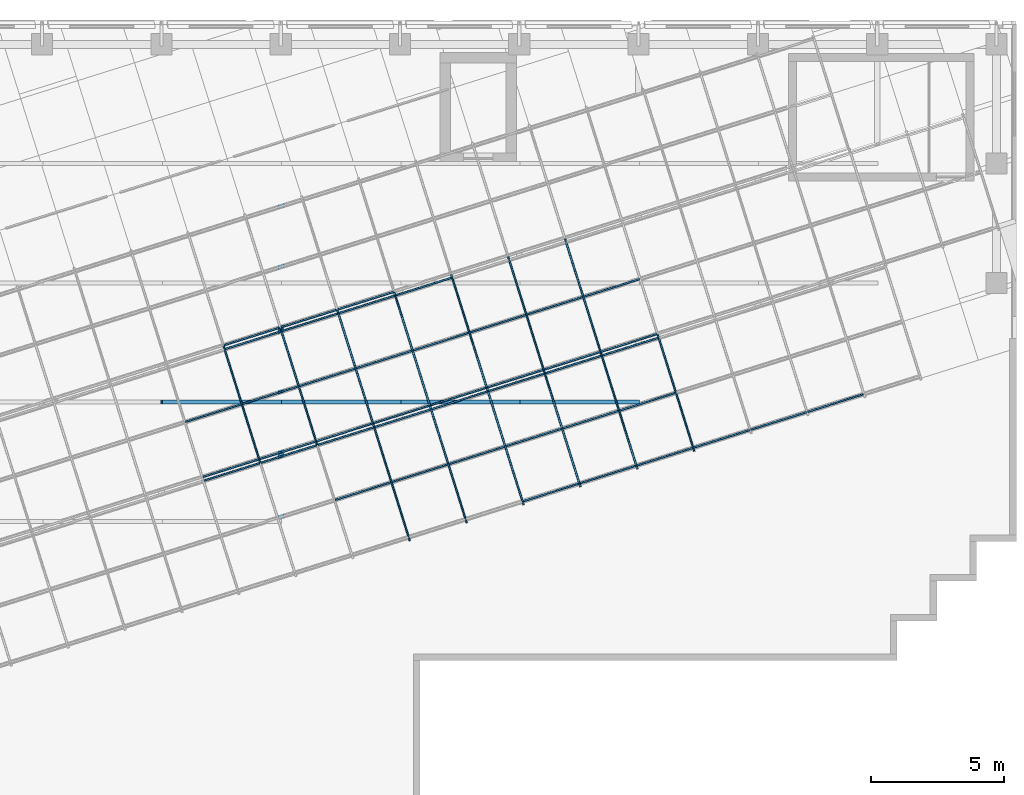
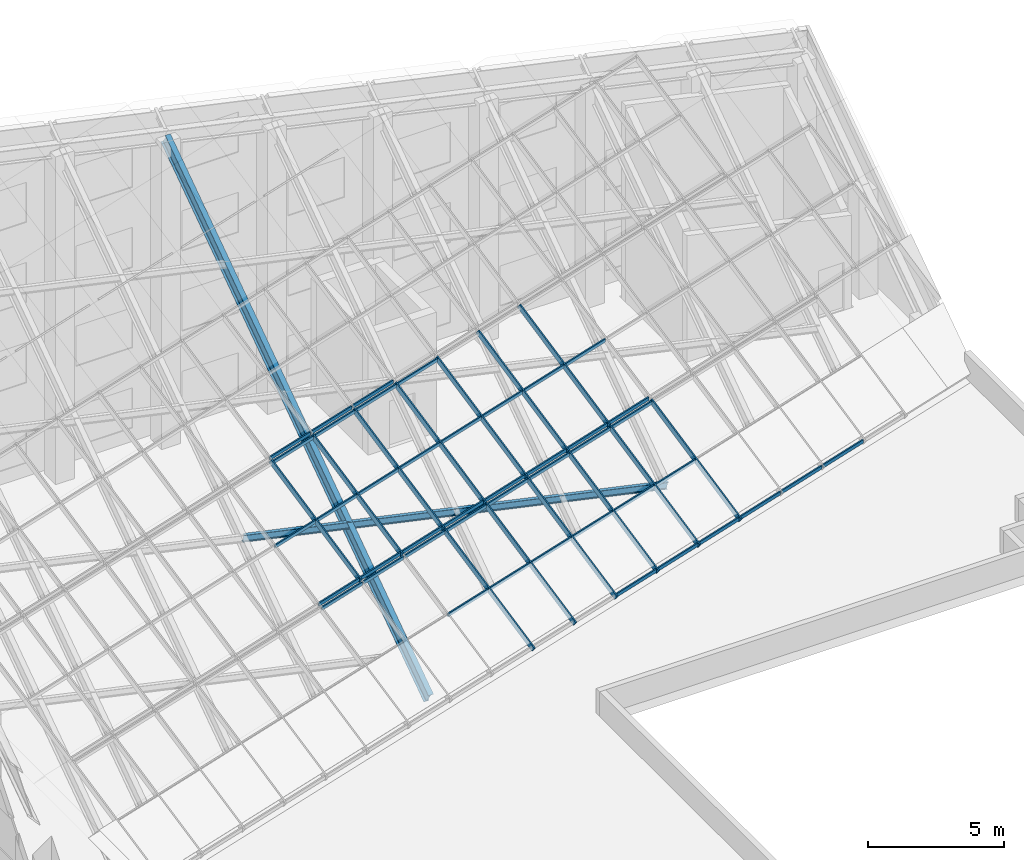
# One storey, part 3 of 14: 61 members, 3 elements without a shape of their own.
"""IFC4 building model written with IfcOpenShell, lengths in metres."""

import ifcopenshell
import ifcopenshell.guid

model = None  # the IFC model being written
_history = None  # IfcOwnerHistory: only IFC2X3 demands one
_inside = {}  # id of a spatial element -> (the spatial element, [elements in it])
_under = {}  # id of a project, library or spatial element -> (it, [spatial elements below it])
_declared = {}  # id of a project -> (the project, [libraries it declares])
_typed = {}  # id of a type object -> (the type object, [elements of that type])
_made_of = {}  # id of a material, layer set ... -> (it, [elements and type objects made of it])


def new_model(schema):
    """Start an empty IFC model of exactly this schema.

    Asked for "IFC4X3", IfcOpenShell would pick the latest addendum, in which some entities
    have other attributes; the version numbers below select the first issue.
    IFC2X3 requires an IfcOwnerHistory on every rooted entity: one is made here for all.
    """
    global model, _history
    if schema == "IFC4X3":
        model = ifcopenshell.file(schema_version=(4, 3, 0, 0))
    else:
        model = ifcopenshell.file(schema=schema)
    _inside.clear()
    _under.clear()
    _declared.clear()
    _typed.clear()
    _made_of.clear()
    _history = None
    if model.schema == "IFC2X3":
        org = make("IfcOrganization", Name="unknown")
        user = make(
            "IfcPersonAndOrganization",
            ThePerson=make("IfcPerson", FamilyName="unknown"),
            TheOrganization=org,
        )
        app = make(
            "IfcApplication",
            ApplicationDeveloper=org,
            Version="unknown",
            ApplicationFullName="unknown",
            ApplicationIdentifier="unknown",
        )
        _history = make(
            "IfcOwnerHistory",
            OwningUser=user,
            OwningApplication=app,
            ChangeAction="ADDED",
            CreationDate=0,
        )
    return model


def make(cls, **values):
    """One entity of the class cls with the attributes given. An attribute that is None is left unset."""
    return model.create_entity(
        cls, **{name: value for name, value in values.items() if value is not None}
    )


def rooted(cls, **values):
    """An entity with a GlobalId (a new one), such as an element, a storey or a relation."""
    return make(cls, GlobalId=ifcopenshell.guid.new(), OwnerHistory=_history, **values)


def si_unit(unit_type, name, prefix=None):
    """IfcSIUnit, for example si_unit("LENGTHUNIT", "METRE", prefix="MILLI")."""
    return make("IfcSIUnit", UnitType=unit_type, Prefix=prefix, Name=name)


def assignment(units):
    """IfcUnitAssignment: the units of a project."""
    return None if units is None else make("IfcUnitAssignment", Units=units)


def point(xyz):
    """IfcCartesianPoint."""
    return None if xyz is None else make("IfcCartesianPoint", Coordinates=xyz)


def direction(xyz):
    """IfcDirection."""
    return None if xyz is None else make("IfcDirection", DirectionRatios=xyz)


def frame(location, z_axis=None, x_axis=None):
    """IfcAxis2Placement3D, a coordinate frame: its origin and axes. An axis left out is left unset."""
    return make(
        "IfcAxis2Placement3D",
        Location=point(location),
        Axis=direction(z_axis),
        RefDirection=direction(x_axis),
    )


def frame_2d(location, x_axis=None):
    """IfcAxis2Placement2D, a coordinate frame in the plane: its origin and x axis."""
    return make(
        "IfcAxis2Placement2D", Location=point(location), RefDirection=direction(x_axis)
    )


def origin():
    """The frame at (0, 0, 0) with its axes left unset."""
    return frame((0.0, 0.0, 0.0))


def origin_2d():
    """The frame at (0, 0) in the plane with its x axis left unset."""
    return frame_2d((0.0, 0.0))


def place(relative_to, where):
    """IfcLocalPlacement: puts the frame where relative to a parent placement (None: the world)."""
    return make(
        "IfcLocalPlacement", PlacementRelTo=relative_to, RelativePlacement=where
    )


def context(
    kind, dimensions, precision=None, world=None, true_north=None, identifier=None
):
    """IfcGeometricRepresentationContext, for example the 3D "Model" context."""
    return make(
        "IfcGeometricRepresentationContext",
        ContextIdentifier=identifier,
        ContextType=kind,
        CoordinateSpaceDimension=dimensions,
        Precision=precision,
        WorldCoordinateSystem=world,
        TrueNorth=true_north,
    )


def subcontext(parent, identifier, kind, view, scale=None):
    """IfcGeometricRepresentationSubContext, for example "Body" below "Model"."""
    return make(
        "IfcGeometricRepresentationSubContext",
        ContextIdentifier=identifier,
        ContextType=kind,
        ParentContext=parent,
        TargetScale=scale,
        TargetView=view,
    )


def project(units=None, contexts=None):
    """IfcProject with its units and contexts."""
    return rooted(
        "IfcProject",
        Name="project",
        RepresentationContexts=contexts,
        UnitsInContext=assignment(units),
    )


def spatial(cls, under=None, at=None, **own):
    """A site, building, storey or space (cls), placed at a placement, below another one or the project."""
    s = rooted(cls, ObjectPlacement=at, **own)
    if under is not None:
        _under.setdefault(under.id(), (under, []))[1].append(s)
    return s


def profile(cls, at=None, kind="AREA", **sizes):
    """A parametric profile (cls). Its sizes go by their IFC names, for example OverallWidth=200.0."""
    return make(cls, ProfileType=kind, Position=at, **sizes)


def rectangle(**sizes):
    """IfcRectangleProfileDef."""
    return profile("IfcRectangleProfileDef", **sizes)


def i_section(**sizes):
    """IfcIShapeProfileDef."""
    return profile("IfcIShapeProfileDef", **sizes)


def extrude(swept, where, along, depth):
    """IfcExtrudedAreaSolid: the profile swept, set in the frame where, extruded along a direction by depth."""
    return make(
        "IfcExtrudedAreaSolid",
        SweptArea=swept,
        Position=where,
        ExtrudedDirection=direction(along),
        Depth=depth,
    )


def shape(context_of_items, identifier, shape_type, items):
    """IfcShapeRepresentation: the items that make up one representation, for example the "Body"."""
    return make(
        "IfcShapeRepresentation",
        ContextOfItems=context_of_items,
        RepresentationIdentifier=identifier,
        RepresentationType=shape_type,
        Items=items,
    )


def material(Name=None, Category=None):
    """IfcMaterial."""
    return make("IfcMaterial", Name=Name, Category=Category)


def material_profile(
    of_material, cross_section, Name=None, Category=None, Priority=None
):
    """IfcMaterialProfile: a cross section and its material."""
    return make(
        "IfcMaterialProfile",
        Name=Name,
        Material=of_material,
        Profile=cross_section,
        Priority=Priority,
        Category=Category,
    )


def profile_set(profiles, Name=None, composite=None):
    """IfcMaterialProfileSet."""
    return make(
        "IfcMaterialProfileSet",
        Name=Name,
        MaterialProfiles=profiles,
        CompositeProfile=composite,
    )


def made_of(thing, what):
    """Note that an element or type object is made of a material, layer set ...; save() writes the relation."""
    if what is not None:
        _made_of.setdefault(what.id(), (what, []))[1].append(thing)
    return thing


def type_object(cls, material=None, **own):
    """A type object (cls), such as IfcWallType, which elements share."""
    return made_of(rooted(cls, **own), material)


def element(
    cls,
    number,
    at=None,
    inside=None,
    cuts=None,
    type_object=None,
    material=None,
    context=None,
    identifier="Body",
    shape_type=None,
    held_by="IfcProductDefinitionShape",
    body=None,
    shapes=None,
    **own,
):
    """One element of the class cls, such as IfcWall. Its Tag is "e" and its number.

    at: its placement. inside: the storey or other place that contains it. cuts: it is an
    opening in that element (IfcRelVoidsElement). A single representation is given by context,
    identifier, shape_type and body (its items); several are given by shapes. held_by: the class
    of the entity that holds the representations. save() writes the other relations.
    """
    e = rooted(cls, Tag="e%d" % number, ObjectPlacement=at, **own)
    if body is not None:
        shapes = [shape(context, identifier, shape_type, body)]
    if shapes is not None:
        e.Representation = make(held_by, Representations=shapes)
    if inside is not None:
        _inside.setdefault(inside.id(), (inside, []))[1].append(e)
    if cuts is not None:
        rooted(
            "IfcRelVoidsElement", RelatingBuildingElement=cuts, RelatedOpeningElement=e
        )
    if type_object is not None:
        _typed.setdefault(type_object.id(), (type_object, []))[1].append(e)
    return made_of(e, material)


def aggregate(whole, parts):
    """IfcRelAggregates: a whole, such as a stair, and the parts it consists of."""
    return rooted("IfcRelAggregates", RelatingObject=whole, RelatedObjects=parts)


def save(model, path):
    """Write the relations noted so far, then the file.

    IfcRelAggregates (storeys below a building ...), IfcRelContainedInSpatialStructure (elements
    in a storey), IfcRelDefinesByType, IfcRelAssociatesMaterial and IfcRelDeclares: one each for
    every whole, place, type object, material and project.
    """
    for whole, parts in _under.values():
        aggregate(whole, parts)
    for where, things in _inside.values():
        rooted(
            "IfcRelContainedInSpatialStructure",
            RelatedElements=things,
            RelatingStructure=where,
        )
    for kind, things in _typed.values():
        rooted("IfcRelDefinesByType", RelatedObjects=things, RelatingType=kind)
    for what, things in _made_of.values():
        rooted("IfcRelAssociatesMaterial", RelatedObjects=things, RelatingMaterial=what)
    for by, libraries in _declared.values():
        rooted("IfcRelDeclares", RelatingContext=by, RelatedDefinitions=libraries)
    model.write(path)


model = new_model("IFC4")

# Units and contexts
model_context = context("Model", 3, precision=1e-05, world=origin(), true_north=direction((0.0, 1.0)))
body_context = subcontext(model_context, "Body", "Model", "MODEL_VIEW")
ifc_project = project(units=[si_unit("LENGTHUNIT", "METRE"), si_unit("AREAUNIT", "SQUARE_METRE"), si_unit("VOLUMEUNIT", "CUBIC_METRE"), si_unit("PLANEANGLEUNIT", "RADIAN"), si_unit("MASSUNIT", "GRAM", prefix="KILO")], contexts=[model_context])

# Site, building, storey
site_placement = place(None, origin())
site = spatial("IfcSite", under=ifc_project, at=site_placement, CompositionType="ELEMENT")
building_placement = place(site_placement, origin())
building = spatial("IfcBuilding", under=site, at=building_placement, Name="Firuza Court", CompositionType="ELEMENT")
storey_placement = place(building_placement, frame((0.0, 0.0, 266.199951171875)))
storey = spatial("IfcBuildingStorey", under=building, at=storey_placement, Name="L68 Crown", CompositionType="ELEMENT", Elevation=266.199951171875)

# Members
ifc_material_1 = material(Name="Steel S355", Category="steel")
ifc_material_profile_1 = material_profile(ifc_material_1, i_section(OverallWidth=0.14990234375, OverallDepth=0.300048828125, WebThickness=0.007080078125, FlangeThickness=0.0107421875, FilletRadius=0.014892578125, at=origin_2d()), Name="IPE 300")
ifc_profile_set_1 = profile_set([ifc_material_profile_1], Name="Steel S355")
member_type_1 = type_object("IfcMemberType", Name="Crown purlin IPE 300 S355", PredefinedType="PURLIN", material=ifc_profile_set_1)
for number, where, z_axis, x_axis, name in (
    (1, (13.5, 45.0, 5.421630859375), (0.977054686112, 0.0, -0.212988592057), (0.0, 1.0, 0.0), "Crown frame purlin"),
    (2, (18.0, 45.0, 4.440673828125), (0.977065716097, 0.0, -0.212937987281), (0.0, 1.0, 0.0), "Crown frame purlin"),
    (3, (22.5, 45.0, 3.4599609375), (0.977065716097, 0.0, -0.212937987281), (0.0, 1.0, 0.0), "Crown frame purlin"),
    (4, (27.0, 45.0, 2.479248046875), (0.977065716097, 0.0, -0.212937987281), (0.0, 1.0, 0.0), "Crown frame purlin"),
):
    element("IfcMember", number, at=place(storey_placement, frame(where, z_axis=z_axis, x_axis=x_axis)), inside=storey, type_object=member_type_1, Name=name, PredefinedType="PURLIN", context=body_context, shape_type="SweptSolid", body=[
        extrude(i_section(OverallWidth=0.14990234375, OverallDepth=0.300048828125, WebThickness=0.007080078125, FlangeThickness=0.0107421875, FilletRadius=0.014892578125, at=origin_2d()), origin(), (0.0, 0.0, 1.0), 4.605712890625),
    ])
ifc_material_2 = material(Name="Steel S355", Category="steel")
ifc_material_profile_2 = material_profile(ifc_material_2, i_section(OverallWidth=0.219970703125, OverallDepth=0.60009765625, WebThickness=0.011962890625, FlangeThickness=0.01904296875, FilletRadius=0.02392578125, at=origin_2d()), Name="IPE 600")
ifc_profile_set_2 = profile_set([ifc_material_profile_2], Name="Steel S355")
member_type_2 = type_object("IfcMemberType", Name="Crown rafter IPE 600 S355", PredefinedType="RAFTER", material=ifc_profile_set_2)
member_1_placement = place(storey_placement, frame((18.0, 39.14990234375, 0.20263671875), z_axis=(0.0, 0.821895667617, 0.569638053112), x_axis=(-1.0, 0.0, 0.0)))
element("IfcMember", 5, at=member_1_placement, inside=storey, type_object=member_type_2, Name="Crown frame rafter", PredefinedType="RAFTER", context=body_context, shape_type="SweptSolid", body=[
    extrude(i_section(OverallWidth=0.219970703125, OverallDepth=0.60009765625, WebThickness=0.011962890625, FlangeThickness=0.01904296875, FilletRadius=0.02392578125, at=origin_2d()), origin(), (0.0, 0.0, 1.0), 23.543212890625),
])

# Curtain wall, members
ifc_material_3 = material(Name="Aluminium curtain wall, triple clear glazing", Category="aluminium")
curtain_wall_type = type_object("IfcCurtainWallType", Name="Crown sloped structural glazing CW5", PredefinedType="NOTDEFINED", material=ifc_material_3)
curtain_wall_1_placement = place(storey_placement, origin())
curtain_wall_1 = element("IfcCurtainWall", 6, at=curtain_wall_1_placement, inside=storey, type_object=curtain_wall_type, Name="Crown sloped structural glazing CW5 1.1", PredefinedType="NOTDEFINED")
ifc_material_4 = material(Name="Aluminium EN AW-6060 T66", Category="aluminium")
ifc_material_profile_3 = material_profile(ifc_material_4, rectangle(XDim=0.06005859375, YDim=0.219970703125, at=origin_2d()), Name="Mullion 220 x 60 CW5")
ifc_profile_set_3 = profile_set([ifc_material_profile_3], Name="Aluminium EN AW-6060 T66")
member_type_3 = type_object("IfcMemberType", Name="Mullion 220 x 60 CW5", PredefinedType="MULLION", material=ifc_profile_set_3)
member_2_placement = place(storey_placement, frame((33.58447265625, 43.210205078125, 0.26416015625), z_axis=(-0.242676110051, 0.771788156835, 0.587751092367), x_axis=(-0.95395336245, -0.299954967071, 0.0)))
member_2 = element("IfcMember", 7, at=member_2_placement, type_object=member_type_3, Name="CW5 mullion 5", PredefinedType="MULLION", context=body_context, shape_type="SweptSolid", body=[
    extrude(rectangle(XDim=0.06005859375, YDim=0.219970703125, at=origin_2d()), origin(), (0.0, 0.0, 1.0), 5.562255859375),
])
member_3_placement = place(storey_placement, frame((31.43798828125, 42.535400390625, 0.26416015625), z_axis=(-0.242684330874, 0.771770408711, 0.587771002846), x_axis=(-0.953948480927, -0.299970491443, 0.0)))
member_3 = element("IfcMember", 8, at=member_3_placement, type_object=member_type_3, Name="CW5 mullion 6", PredefinedType="MULLION", context=body_context, shape_type="SweptSolid", body=[
    extrude(rectangle(XDim=0.06005859375, YDim=0.219970703125, at=origin_2d()), origin(), (0.0, 0.0, 1.0), 5.562255859375),
])
member_4_placement = place(storey_placement, frame((29.29150390625, 41.8603515625, 0.26416015625), z_axis=(-0.242684330874, 0.771770408711, 0.587771002846), x_axis=(-0.953948480927, -0.299970491443, 0.0)))
member_4 = element("IfcMember", 9, at=member_4_placement, type_object=member_type_3, Name="CW5 mullion 7", PredefinedType="MULLION", context=body_context, shape_type="SweptSolid", body=[
    extrude(rectangle(XDim=0.06005859375, YDim=0.219970703125, at=origin_2d()), origin(), (0.0, 0.0, 1.0), 5.562255859375),
])
member_5_placement = place(storey_placement, frame((27.145263671875, 41.185302734375, 0.26416015625), z_axis=(-0.242676110051, 0.771788156835, 0.587751092367), x_axis=(-0.95395336245, -0.299954967071, 0.0)))
member_5 = element("IfcMember", 10, at=member_5_placement, type_object=member_type_3, Name="CW5 mullion 8", PredefinedType="MULLION", context=body_context, shape_type="SweptSolid", body=[
    extrude(rectangle(XDim=0.06005859375, YDim=0.219970703125, at=origin_2d()), origin(), (0.0, 0.0, 1.0), 5.562255859375),
])
member_6_placement = place(storey_placement, frame((24.998779296875, 40.510498046875, 0.26416015625), z_axis=(-0.242684330874, 0.771770408711, 0.587771002846), x_axis=(-0.953948480927, -0.299970491443, 0.0)))
member_6 = element("IfcMember", 11, at=member_6_placement, type_object=member_type_3, Name="CW5 mullion 9", PredefinedType="MULLION", context=body_context, shape_type="SweptSolid", body=[
    extrude(rectangle(XDim=0.06005859375, YDim=0.219970703125, at=origin_2d()), origin(), (0.0, 0.0, 1.0), 5.562255859375),
])
member_7_placement = place(storey_placement, frame((22.8525390625, 39.83544921875, 0.26416015625), z_axis=(-0.242676110051, 0.771788156835, 0.587751092367), x_axis=(-0.95395336245, -0.299954967071, 0.0)))
member_7 = element("IfcMember", 12, at=member_7_placement, type_object=member_type_3, Name="CW5 mullion 10", PredefinedType="MULLION", context=body_context, shape_type="SweptSolid", body=[
    extrude(rectangle(XDim=0.06005859375, YDim=0.219970703125, at=origin_2d()), origin(), (0.0, 0.0, 1.0), 5.562255859375),
])

curtain_wall_2_placement = place(storey_placement, origin())
curtain_wall_2 = element("IfcCurtainWall", 13, at=curtain_wall_2_placement, inside=storey, type_object=curtain_wall_type, Name="Crown sloped structural glazing CW5 2.1", PredefinedType="NOTDEFINED")
member_8_placement = place(storey_placement, frame((30.088134765625, 46.828125, 3.533447265625), z_axis=(-0.242678069863, 0.771750497813, 0.587799730803), x_axis=(-0.953948480927, -0.299970491443, 0.0)))
member_8 = element("IfcMember", 14, at=member_8_placement, type_object=member_type_3, Name="CW5 mullion 8", PredefinedType="MULLION", context=body_context, shape_type="SweptSolid", body=[
    extrude(rectangle(XDim=0.06005859375, YDim=0.219970703125, at=origin_2d()), origin(), (0.0, 0.0, 1.0), 5.562255859375),
])
member_9_placement = place(storey_placement, frame((27.941650390625, 46.153076171875, 3.533447265625), z_axis=(-0.242678069863, 0.771750497813, 0.587799730803), x_axis=(-0.953948480927, -0.299970491443, 0.0)))
member_9 = element("IfcMember", 15, at=member_9_placement, type_object=member_type_3, Name="CW5 mullion 9", PredefinedType="MULLION", context=body_context, shape_type="SweptSolid", body=[
    extrude(rectangle(XDim=0.06005859375, YDim=0.219970703125, at=origin_2d()), origin(), (0.0, 0.0, 1.0), 5.562255859375),
])
member_10_placement = place(storey_placement, frame((25.79541015625, 45.478271484375, 3.533447265625), z_axis=(-0.242719376152, 0.771742276831, 0.587793469335), x_axis=(-0.953932954767, -0.300019862359, 0.0)))
member_10 = element("IfcMember", 16, at=member_10_placement, type_object=member_type_3, Name="CW5 mullion 10", PredefinedType="MULLION", context=body_context, shape_type="SweptSolid", body=[
    extrude(rectangle(XDim=0.06005859375, YDim=0.219970703125, at=origin_2d()), origin(), (0.0, 0.0, 1.0), 5.5625),
])
member_11_placement = place(storey_placement, frame((23.64892578125, 44.80322265625, 3.533447265625), z_axis=(-0.242678069863, 0.771750497813, 0.587799730803), x_axis=(-0.953948480927, -0.299970491443, 0.0)))
member_11 = element("IfcMember", 17, at=member_11_placement, type_object=member_type_3, Name="CW5 mullion 11", PredefinedType="MULLION", context=body_context, shape_type="SweptSolid", body=[
    extrude(rectangle(XDim=0.06005859375, YDim=0.219970703125, at=origin_2d()), origin(), (0.0, 0.0, 1.0), 5.562255859375),
])
member_12_placement = place(storey_placement, frame((21.502685546875, 44.12841796875, 3.533447265625), z_axis=(-0.24272759793, 0.771724525643, 0.587813380014), x_axis=(-0.953928070958, -0.300035390308, 0.0)))
member_12 = element("IfcMember", 18, at=member_12_placement, type_object=member_type_3, Name="CW5 mullion 12", PredefinedType="MULLION", context=body_context, shape_type="SweptSolid", body=[
    extrude(rectangle(XDim=0.06005859375, YDim=0.219970703125, at=origin_2d()), origin(), (0.0, 0.0, 1.0), 5.562255859375),
])
member_13_placement = place(storey_placement, frame((19.356201171875, 43.453369140625, 3.533447265625), z_axis=(-0.242678069863, 0.771750497813, 0.587799730803), x_axis=(-0.953948480927, -0.299970491443, 0.0)))
member_13 = element("IfcMember", 19, at=member_13_placement, type_object=member_type_3, Name="CW5 mullion 13", PredefinedType="MULLION", context=body_context, shape_type="SweptSolid", body=[
    extrude(rectangle(XDim=0.06005859375, YDim=0.219970703125, at=origin_2d()), origin(), (0.0, 0.0, 1.0), 5.562255859375),
])
member_14_placement = place(storey_placement, frame((17.2099609375, 42.7783203125, 3.533447265625), z_axis=(-0.242719376152, 0.771742276831, 0.587793469335), x_axis=(-0.953932954767, -0.300019862359, 0.0)))
member_14 = element("IfcMember", 20, at=member_14_placement, type_object=member_type_3, Name="CW5 mullion 14", PredefinedType="MULLION", context=body_context, shape_type="SweptSolid", body=[
    extrude(rectangle(XDim=0.06005859375, YDim=0.219970703125, at=origin_2d()), origin(), (0.0, 0.0, 1.0), 5.5625),
])

# Member
ifc_material_5 = material(Name="Aluminium EN AW-6060 T66", Category="aluminium")
ifc_material_profile_4 = material_profile(ifc_material_5, rectangle(XDim=0.06005859375, YDim=0.14990234375, at=origin_2d()), Name="Transom 150 x 60 CW5")
ifc_profile_set_4 = profile_set([ifc_material_profile_4], Name="Aluminium EN AW-6060 T66")
member_type_4 = type_object("IfcMemberType", Name="Transom 150 x 60 CW5", PredefinedType="USERDEFINED", material=ifc_profile_set_4)
member_15_placement = place(storey_placement, frame((39.972412109375, 45.297607421875, 0.318603515625), z_axis=(-0.953972759463, -0.299893271352, 0.0), x_axis=(0.299893271352, -0.953972759463, 0.0)))
member_15 = element("IfcMember", 21, at=member_15_placement, type_object=member_type_4, Name="CW5 transom 1.2", ObjectType="TRANSOM", PredefinedType="USERDEFINED", context=body_context, shape_type="SweptSolid", body=[
    extrude(rectangle(XDim=0.06005859375, YDim=0.14990234375, at=origin_2d()), origin(), (0.0, 0.0, 1.0), 2.18994140625),
])

member_16_placement = place(storey_placement, frame((37.825927734375, 44.622802734375, 0.318603515625), z_axis=(-0.953940860537, -0.299994724285, 0.0), x_axis=(0.299994724285, -0.953940860537, 0.0)))
member_16 = element("IfcMember", 22, at=member_16_placement, type_object=member_type_4, Name="CW5 transom 1.3", ObjectType="TRANSOM", PredefinedType="USERDEFINED", context=body_context, shape_type="SweptSolid", body=[
    extrude(rectangle(XDim=0.06005859375, YDim=0.14990234375, at=origin_2d()), origin(), (0.0, 0.0, 1.0), 2.18994140625),
])

member_17_placement = place(storey_placement, frame((35.6796875, 43.94775390625, 0.318603515625), z_axis=(-0.953972759463, -0.299893271352, 0.0), x_axis=(0.299893271352, -0.953972759463, 0.0)))
member_17 = element("IfcMember", 23, at=member_17_placement, type_object=member_type_4, Name="CW5 transom 1.4", ObjectType="TRANSOM", PredefinedType="USERDEFINED", context=body_context, shape_type="SweptSolid", body=[
    extrude(rectangle(XDim=0.06005859375, YDim=0.14990234375, at=origin_2d()), origin(), (0.0, 0.0, 1.0), 2.18994140625),
])

member_18_placement = place(storey_placement, frame((33.533203125, 43.27294921875, 0.318603515625), z_axis=(-0.953940860537, -0.299994724285, 0.0), x_axis=(0.299994724285, -0.953940860537, 0.0)))
member_18 = element("IfcMember", 24, at=member_18_placement, type_object=member_type_4, Name="CW5 transom 1.5", ObjectType="TRANSOM", PredefinedType="USERDEFINED", context=body_context, shape_type="SweptSolid", body=[
    extrude(rectangle(XDim=0.06005859375, YDim=0.14990234375, at=origin_2d()), origin(), (0.0, 0.0, 1.0), 2.18994140625),
])

member_19_placement = place(storey_placement, frame((31.386962890625, 42.597900390625, 0.318603515625), z_axis=(-0.953940860537, -0.299994724285, 0.0), x_axis=(0.299994724285, -0.953940860537, 0.0)))
member_19 = element("IfcMember", 25, at=member_19_placement, type_object=member_type_4, Name="CW5 transom 1.6", ObjectType="TRANSOM", PredefinedType="USERDEFINED", context=body_context, shape_type="SweptSolid", body=[
    extrude(rectangle(XDim=0.06005859375, YDim=0.14990234375, at=origin_2d()), origin(), (0.0, 0.0, 1.0), 2.18994140625),
])

member_20_placement = place(storey_placement, frame((29.240478515625, 41.9228515625, 0.318603515625), z_axis=(-0.953972759463, -0.299893271352, 0.0), x_axis=(0.299893271352, -0.953972759463, 0.0)))
member_20 = element("IfcMember", 26, at=member_20_placement, type_object=member_type_4, Name="CW5 transom 1.7", ObjectType="TRANSOM", PredefinedType="USERDEFINED", context=body_context, shape_type="SweptSolid", body=[
    extrude(rectangle(XDim=0.06005859375, YDim=0.14990234375, at=origin_2d()), origin(), (0.0, 0.0, 1.0), 2.18994140625),
])

member_21_placement = place(storey_placement, frame((32.880859375, 45.34765625, 1.89892578125), z_axis=(-0.953940860537, -0.299994724285, 0.0), x_axis=(0.299994724285, -0.953940860537, 0.0)))
member_21 = element("IfcMember", 27, at=member_21_placement, type_object=member_type_4, Name="CW5 transom 2.5", ObjectType="TRANSOM", PredefinedType="USERDEFINED", context=body_context, shape_type="SweptSolid", body=[
    extrude(rectangle(XDim=0.06005859375, YDim=0.14990234375, at=origin_2d()), origin(), (0.0, 0.0, 1.0), 2.18994140625),
])

member_22_placement = place(storey_placement, frame((30.734375, 44.672607421875, 1.89892578125), z_axis=(-0.953972759463, -0.299893271352, 0.0), x_axis=(0.299893271352, -0.953972759463, 0.0)))
member_22 = element("IfcMember", 28, at=member_22_placement, type_object=member_type_4, Name="CW5 transom 2.6", ObjectType="TRANSOM", PredefinedType="USERDEFINED", context=body_context, shape_type="SweptSolid", body=[
    extrude(rectangle(XDim=0.06005859375, YDim=0.14990234375, at=origin_2d()), origin(), (0.0, 0.0, 1.0), 2.18994140625),
])

member_23_placement = place(storey_placement, frame((28.588134765625, 43.997802734375, 1.89892578125), z_axis=(-0.953950891852, -0.299962824255, 0.0), x_axis=(0.299962824255, -0.953950891852, 0.0)))
member_23 = element("IfcMember", 29, at=member_23_placement, type_object=member_type_4, Name="CW5 transom 2.7", ObjectType="TRANSOM", PredefinedType="USERDEFINED", context=body_context, shape_type="SweptSolid", body=[
    extrude(rectangle(XDim=0.06005859375, YDim=0.14990234375, at=origin_2d()), origin(), (0.0, 0.0, 1.0), 2.190185546875),
])

member_24_placement = place(storey_placement, frame((26.441650390625, 43.32275390625, 1.89892578125), z_axis=(-0.953940860537, -0.299994724285, 0.0), x_axis=(0.299994724285, -0.953940860537, 0.0)))
member_24 = element("IfcMember", 30, at=member_24_placement, type_object=member_type_4, Name="CW5 transom 2.8", ObjectType="TRANSOM", PredefinedType="USERDEFINED", context=body_context, shape_type="SweptSolid", body=[
    extrude(rectangle(XDim=0.06005859375, YDim=0.14990234375, at=origin_2d()), origin(), (0.0, 0.0, 1.0), 2.18994140625),
])

member_25_placement = place(storey_placement, frame((24.29541015625, 42.647705078125, 1.89892578125), z_axis=(-0.953972759463, -0.299893271352, 0.0), x_axis=(0.299893271352, -0.953972759463, 0.0)))
member_25 = element("IfcMember", 31, at=member_25_placement, type_object=member_type_4, Name="CW5 transom 2.9", ObjectType="TRANSOM", PredefinedType="USERDEFINED", context=body_context, shape_type="SweptSolid", body=[
    extrude(rectangle(XDim=0.06005859375, YDim=0.14990234375, at=origin_2d()), origin(), (0.0, 0.0, 1.0), 2.18994140625),
])

member_26_placement = place(storey_placement, frame((22.14892578125, 41.972900390625, 1.89892578125), z_axis=(-0.953940860537, -0.299994724285, 0.0), x_axis=(0.299994724285, -0.953940860537, 0.0)))
member_26 = element("IfcMember", 32, at=member_26_placement, type_object=member_type_4, Name="CW5 transom 2.10", ObjectType="TRANSOM", PredefinedType="USERDEFINED", context=body_context, shape_type="SweptSolid", body=[
    extrude(rectangle(XDim=0.06005859375, YDim=0.14990234375, at=origin_2d()), origin(), (0.0, 0.0, 1.0), 2.18994140625),
])

member_27_placement = place(storey_placement, frame((32.228515625, 47.422607421875, 3.47900390625), z_axis=(-0.95391899072, -0.300064258357, 0.0), x_axis=(0.300064258357, -0.95391899072, 0.0)))
member_27 = element("IfcMember", 33, at=member_27_placement, type_object=member_type_4, Name="CW5 transom 3.5", ObjectType="TRANSOM", PredefinedType="USERDEFINED", context=body_context, shape_type="SweptSolid", body=[
    extrude(rectangle(XDim=0.06005859375, YDim=0.14990234375, at=origin_2d()), origin(), (0.0, 0.0, 1.0), 2.190185546875),
])

member_28_placement = place(storey_placement, frame((30.08203125, 46.74755859375, 3.47900390625), z_axis=(-0.953940860537, -0.299994724285, 0.0), x_axis=(0.299994724285, -0.953940860537, 0.0)))
member_28 = element("IfcMember", 34, at=member_28_placement, type_object=member_type_4, Name="CW5 transom 3.6", ObjectType="TRANSOM", PredefinedType="USERDEFINED", context=body_context, shape_type="SweptSolid", body=[
    extrude(rectangle(XDim=0.06005859375, YDim=0.14990234375, at=origin_2d()), origin(), (0.0, 0.0, 1.0), 2.18994140625),
])

member_29_placement = place(storey_placement, frame((27.935546875, 46.072509765625, 3.47900390625), z_axis=(-0.953940860537, -0.299994724285, 0.0), x_axis=(0.299994724285, -0.953940860537, 0.0)))
member_29 = element("IfcMember", 35, at=member_29_placement, type_object=member_type_4, Name="CW5 transom 3.7", ObjectType="TRANSOM", PredefinedType="USERDEFINED", context=body_context, shape_type="SweptSolid", body=[
    extrude(rectangle(XDim=0.06005859375, YDim=0.14990234375, at=origin_2d()), origin(), (0.0, 0.0, 1.0), 2.18994140625),
])

member_30_placement = place(storey_placement, frame((25.789306640625, 45.397705078125, 3.47900390625), z_axis=(-0.953940860537, -0.299994724285, 0.0), x_axis=(0.299994724285, -0.953940860537, 0.0)))
member_30 = element("IfcMember", 36, at=member_30_placement, type_object=member_type_4, Name="CW5 transom 3.8", ObjectType="TRANSOM", PredefinedType="USERDEFINED", context=body_context, shape_type="SweptSolid", body=[
    extrude(rectangle(XDim=0.06005859375, YDim=0.14990234375, at=origin_2d()), origin(), (0.0, 0.0, 1.0), 2.18994140625),
])

member_31_placement = place(storey_placement, frame((23.642822265625, 44.72265625, 3.47900390625), z_axis=(-0.953940860537, -0.299994724285, 0.0), x_axis=(0.299994724285, -0.953940860537, 0.0)))
member_31 = element("IfcMember", 37, at=member_31_placement, type_object=member_type_4, Name="CW5 transom 3.9", ObjectType="TRANSOM", PredefinedType="USERDEFINED", context=body_context, shape_type="SweptSolid", body=[
    extrude(rectangle(XDim=0.06005859375, YDim=0.14990234375, at=origin_2d()), origin(), (0.0, 0.0, 1.0), 2.18994140625),
])

member_32_placement = place(storey_placement, frame((21.49658203125, 44.047607421875, 3.47900390625), z_axis=(-0.953950891852, -0.299962824255, 0.0), x_axis=(0.299962824255, -0.953950891852, 0.0)))
member_32 = element("IfcMember", 38, at=member_32_placement, type_object=member_type_4, Name="CW5 transom 3.10", ObjectType="TRANSOM", PredefinedType="USERDEFINED", context=body_context, shape_type="SweptSolid", body=[
    extrude(rectangle(XDim=0.06005859375, YDim=0.14990234375, at=origin_2d()), origin(), (0.0, 0.0, 1.0), 2.190185546875),
])

member_33_placement = place(storey_placement, frame((19.35009765625, 43.372802734375, 3.47900390625), z_axis=(-0.953940860537, -0.299994724285, 0.0), x_axis=(0.299994724285, -0.953940860537, 0.0)))
member_33 = element("IfcMember", 39, at=member_33_placement, type_object=member_type_4, Name="CW5 transom 3.11", ObjectType="TRANSOM", PredefinedType="USERDEFINED", context=body_context, shape_type="SweptSolid", body=[
    extrude(rectangle(XDim=0.06005859375, YDim=0.14990234375, at=origin_2d()), origin(), (0.0, 0.0, 1.0), 2.18994140625),
])

member_34_placement = place(storey_placement, frame((17.20361328125, 42.69775390625, 3.47900390625), z_axis=(-0.953940860537, -0.299994724285, 0.0), x_axis=(0.299994724285, -0.953940860537, 0.0)))
member_34 = element("IfcMember", 40, at=member_34_placement, type_object=member_type_4, Name="CW5 transom 3.12", ObjectType="TRANSOM", PredefinedType="USERDEFINED", context=body_context, shape_type="SweptSolid", body=[
    extrude(rectangle(XDim=0.06005859375, YDim=0.14990234375, at=origin_2d()), origin(), (0.0, 0.0, 1.0), 2.18994140625),
])

aggregate(curtain_wall_1, [member_2, member_3, member_4, member_5, member_6, member_7, member_15, member_16, member_17, member_18, member_19, member_20, member_21, member_22, member_23, member_24, member_25, member_26, member_27, member_28, member_29, member_30, member_31, member_32, member_33, member_34])

member_35_placement = place(storey_placement, frame((32.183349609375, 47.565673828125, 3.588134765625), z_axis=(-0.953940860537, -0.299994724285, 0.0), x_axis=(0.299994724285, -0.953940860537, 0.0)))
member_35 = element("IfcMember", 41, at=member_35_placement, type_object=member_type_4, Name="CW5 transom 1.7", ObjectType="TRANSOM", PredefinedType="USERDEFINED", context=body_context, shape_type="SweptSolid", body=[
    extrude(rectangle(XDim=0.06005859375, YDim=0.14990234375, at=origin_2d()), origin(), (0.0, 0.0, 1.0), 2.18994140625),
])

member_36_placement = place(storey_placement, frame((30.037109375, 46.890625, 3.588134765625), z_axis=(-0.953950891852, -0.299962824255, 0.0), x_axis=(0.299962824255, -0.953950891852, 0.0)))
member_36 = element("IfcMember", 42, at=member_36_placement, type_object=member_type_4, Name="CW5 transom 1.8", ObjectType="TRANSOM", PredefinedType="USERDEFINED", context=body_context, shape_type="SweptSolid", body=[
    extrude(rectangle(XDim=0.06005859375, YDim=0.14990234375, at=origin_2d()), origin(), (0.0, 0.0, 1.0), 2.190185546875),
])

member_37_placement = place(storey_placement, frame((27.890625, 46.2158203125, 3.588134765625), z_axis=(-0.953908952955, -0.300096167039, 0.0), x_axis=(0.300096167039, -0.953908952955, 0.0)))
member_37 = element("IfcMember", 43, at=member_37_placement, type_object=member_type_4, Name="CW5 transom 1.9", ObjectType="TRANSOM", PredefinedType="USERDEFINED", context=body_context, shape_type="SweptSolid", body=[
    extrude(rectangle(XDim=0.06005859375, YDim=0.14990234375, at=origin_2d()), origin(), (0.0, 0.0, 1.0), 2.18994140625),
])

member_38_placement = place(storey_placement, frame((25.744140625, 45.540771484375, 3.588134765625), z_axis=(-0.953940860537, -0.299994724285, 0.0), x_axis=(0.299994724285, -0.953940860537, 0.0)))
member_38 = element("IfcMember", 44, at=member_38_placement, type_object=member_type_4, Name="CW5 transom 1.10", ObjectType="TRANSOM", PredefinedType="USERDEFINED", context=body_context, shape_type="SweptSolid", body=[
    extrude(rectangle(XDim=0.06005859375, YDim=0.14990234375, at=origin_2d()), origin(), (0.0, 0.0, 1.0), 2.18994140625),
])

member_39_placement = place(storey_placement, frame((23.597900390625, 44.86572265625, 3.588134765625), z_axis=(-0.953940860537, -0.299994724285, 0.0), x_axis=(0.299994724285, -0.953940860537, 0.0)))
member_39 = element("IfcMember", 45, at=member_39_placement, type_object=member_type_4, Name="CW5 transom 1.11", ObjectType="TRANSOM", PredefinedType="USERDEFINED", context=body_context, shape_type="SweptSolid", body=[
    extrude(rectangle(XDim=0.06005859375, YDim=0.14990234375, at=origin_2d()), origin(), (0.0, 0.0, 1.0), 2.18994140625),
])

member_40_placement = place(storey_placement, frame((21.451416015625, 44.19091796875, 3.588134765625), z_axis=(-0.953908952955, -0.300096167039, 0.0), x_axis=(0.300096167039, -0.953908952955, 0.0)))
member_40 = element("IfcMember", 46, at=member_40_placement, type_object=member_type_4, Name="CW5 transom 1.12", ObjectType="TRANSOM", PredefinedType="USERDEFINED", context=body_context, shape_type="SweptSolid", body=[
    extrude(rectangle(XDim=0.06005859375, YDim=0.14990234375, at=origin_2d()), origin(), (0.0, 0.0, 1.0), 2.18994140625),
])

member_41_placement = place(storey_placement, frame((19.30517578125, 43.515869140625, 3.588134765625), z_axis=(-0.953940860537, -0.299994724285, 0.0), x_axis=(0.299994724285, -0.953940860537, 0.0)))
member_41 = element("IfcMember", 47, at=member_41_placement, type_object=member_type_4, Name="CW5 transom 1.13", ObjectType="TRANSOM", PredefinedType="USERDEFINED", context=body_context, shape_type="SweptSolid", body=[
    extrude(rectangle(XDim=0.06005859375, YDim=0.14990234375, at=origin_2d()), origin(), (0.0, 0.0, 1.0), 2.18994140625),
])

member_42_placement = place(storey_placement, frame((17.15869140625, 42.8408203125, 3.588134765625), z_axis=(-0.953940860537, -0.299994724285, 0.0), x_axis=(0.299994724285, -0.953940860537, 0.0)))
member_42 = element("IfcMember", 48, at=member_42_placement, type_object=member_type_4, Name="CW5 transom 1.14", ObjectType="TRANSOM", PredefinedType="USERDEFINED", context=body_context, shape_type="SweptSolid", body=[
    extrude(rectangle(XDim=0.06005859375, YDim=0.14990234375, at=origin_2d()), origin(), (0.0, 0.0, 1.0), 2.18994140625),
])

member_43_placement = place(storey_placement, frame((31.531005859375, 49.640380859375, 5.168212890625), z_axis=(-0.953940860537, -0.299994724285, 0.0), x_axis=(0.299994724285, -0.953940860537, 0.0)))
member_43 = element("IfcMember", 49, at=member_43_placement, type_object=member_type_4, Name="CW5 transom 2.7", ObjectType="TRANSOM", PredefinedType="USERDEFINED", context=body_context, shape_type="SweptSolid", body=[
    extrude(rectangle(XDim=0.06005859375, YDim=0.14990234375, at=origin_2d()), origin(), (0.0, 0.0, 1.0), 2.18994140625),
])

member_44_placement = place(storey_placement, frame((29.384521484375, 48.965576171875, 5.168212890625), z_axis=(-0.953940860537, -0.299994724285, 0.0), x_axis=(0.299994724285, -0.953940860537, 0.0)))
member_44 = element("IfcMember", 50, at=member_44_placement, type_object=member_type_4, Name="CW5 transom 2.8", ObjectType="TRANSOM", PredefinedType="USERDEFINED", context=body_context, shape_type="SweptSolid", body=[
    extrude(rectangle(XDim=0.06005859375, YDim=0.14990234375, at=origin_2d()), origin(), (0.0, 0.0, 1.0), 2.18994140625),
])

member_45_placement = place(storey_placement, frame((27.238037109375, 48.29052734375, 5.168212890625), z_axis=(-0.953940860537, -0.299994724285, 0.0), x_axis=(0.299994724285, -0.953940860537, 0.0)))
member_45 = element("IfcMember", 51, at=member_45_placement, type_object=member_type_4, Name="CW5 transom 2.9", ObjectType="TRANSOM", PredefinedType="USERDEFINED", context=body_context, shape_type="SweptSolid", body=[
    extrude(rectangle(XDim=0.06005859375, YDim=0.14990234375, at=origin_2d()), origin(), (0.0, 0.0, 1.0), 2.18994140625),
])

member_46_placement = place(storey_placement, frame((25.091796875, 47.615478515625, 5.168212890625), z_axis=(-0.953940860537, -0.299994724285, 0.0), x_axis=(0.299994724285, -0.953940860537, 0.0)))
member_46 = element("IfcMember", 52, at=member_46_placement, type_object=member_type_4, Name="CW5 transom 2.10", ObjectType="TRANSOM", PredefinedType="USERDEFINED", context=body_context, shape_type="SweptSolid", body=[
    extrude(rectangle(XDim=0.06005859375, YDim=0.14990234375, at=origin_2d()), origin(), (0.0, 0.0, 1.0), 2.18994140625),
])

member_47_placement = place(storey_placement, frame((22.9453125, 46.940673828125, 5.168212890625), z_axis=(-0.953940860537, -0.299994724285, 0.0), x_axis=(0.299994724285, -0.953940860537, 0.0)))
member_47 = element("IfcMember", 53, at=member_47_placement, type_object=member_type_4, Name="CW5 transom 2.11", ObjectType="TRANSOM", PredefinedType="USERDEFINED", context=body_context, shape_type="SweptSolid", body=[
    extrude(rectangle(XDim=0.06005859375, YDim=0.14990234375, at=origin_2d()), origin(), (0.0, 0.0, 1.0), 2.18994140625),
])

member_48_placement = place(storey_placement, frame((20.799072265625, 46.265625, 5.168212890625), z_axis=(-0.953940860537, -0.299994724285, 0.0), x_axis=(0.299994724285, -0.953940860537, 0.0)))
member_48 = element("IfcMember", 54, at=member_48_placement, type_object=member_type_4, Name="CW5 transom 2.12", ObjectType="TRANSOM", PredefinedType="USERDEFINED", context=body_context, shape_type="SweptSolid", body=[
    extrude(rectangle(XDim=0.06005859375, YDim=0.14990234375, at=origin_2d()), origin(), (0.0, 0.0, 1.0), 2.18994140625),
])

member_49_placement = place(storey_placement, frame((18.652587890625, 45.5908203125, 5.168212890625), z_axis=(-0.953908952955, -0.300096167039, 0.0), x_axis=(0.300096167039, -0.953908952955, 0.0)))
member_49 = element("IfcMember", 55, at=member_49_placement, type_object=member_type_4, Name="CW5 transom 2.13", ObjectType="TRANSOM", PredefinedType="USERDEFINED", context=body_context, shape_type="SweptSolid", body=[
    extrude(rectangle(XDim=0.06005859375, YDim=0.14990234375, at=origin_2d()), origin(), (0.0, 0.0, 1.0), 2.18994140625),
])

member_50_placement = place(storey_placement, frame((16.50634765625, 44.915771484375, 5.168212890625), z_axis=(-0.953950891852, -0.299962824255, 0.0), x_axis=(0.299962824255, -0.953950891852, 0.0)))
member_50 = element("IfcMember", 56, at=member_50_placement, type_object=member_type_4, Name="CW5 transom 2.14", ObjectType="TRANSOM", PredefinedType="USERDEFINED", context=body_context, shape_type="SweptSolid", body=[
    extrude(rectangle(XDim=0.06005859375, YDim=0.14990234375, at=origin_2d()), origin(), (0.0, 0.0, 1.0), 2.190185546875),
])

member_51_placement = place(storey_placement, frame((24.439208984375, 49.6904296875, 6.74853515625), z_axis=(-0.953940860537, -0.299994724285, 0.0), x_axis=(0.299994724285, -0.953940860537, 0.0)))
member_51 = element("IfcMember", 57, at=member_51_placement, type_object=member_type_4, Name="CW5 transom 3.10", ObjectType="TRANSOM", PredefinedType="USERDEFINED", context=body_context, shape_type="SweptSolid", body=[
    extrude(rectangle(XDim=0.06005859375, YDim=0.14990234375, at=origin_2d()), origin(), (0.0, 0.0, 1.0), 2.18994140625),
])

member_52_placement = place(storey_placement, frame((22.29296875, 49.015380859375, 6.74853515625), z_axis=(-0.953940860537, -0.299994724285, 0.0), x_axis=(0.299994724285, -0.953940860537, 0.0)))
member_52 = element("IfcMember", 58, at=member_52_placement, type_object=member_type_4, Name="CW5 transom 3.11", ObjectType="TRANSOM", PredefinedType="USERDEFINED", context=body_context, shape_type="SweptSolid", body=[
    extrude(rectangle(XDim=0.06005859375, YDim=0.14990234375, at=origin_2d()), origin(), (0.0, 0.0, 1.0), 2.18994140625),
])

member_53_placement = place(storey_placement, frame((20.146484375, 48.340576171875, 6.74853515625), z_axis=(-0.953940860537, -0.299994724285, 0.0), x_axis=(0.299994724285, -0.953940860537, 0.0)))
member_53 = element("IfcMember", 59, at=member_53_placement, type_object=member_type_4, Name="CW5 transom 3.12", ObjectType="TRANSOM", PredefinedType="USERDEFINED", context=body_context, shape_type="SweptSolid", body=[
    extrude(rectangle(XDim=0.06005859375, YDim=0.14990234375, at=origin_2d()), origin(), (0.0, 0.0, 1.0), 2.18994140625),
])

member_54_placement = place(storey_placement, frame((18.000244140625, 47.66552734375, 6.74853515625), z_axis=(-0.953950891852, -0.299962824255, 0.0), x_axis=(0.299962824255, -0.953950891852, 0.0)))
member_54 = element("IfcMember", 60, at=member_54_placement, type_object=member_type_4, Name="CW5 transom 3.13", ObjectType="TRANSOM", PredefinedType="USERDEFINED", context=body_context, shape_type="SweptSolid", body=[
    extrude(rectangle(XDim=0.06005859375, YDim=0.14990234375, at=origin_2d()), origin(), (0.0, 0.0, 1.0), 2.190185546875),
])

aggregate(curtain_wall_2, [member_8, member_9, member_10, member_11, member_12, member_13, member_14, member_35, member_36, member_37, member_38, member_39, member_40, member_41, member_42, member_43, member_44, member_45, member_46, member_47, member_48, member_49, member_50, member_51, member_52, member_53, member_54])

# Curtain wall, members
curtain_wall_3_placement = place(storey_placement, origin())
curtain_wall_3 = element("IfcCurtainWall", 61, at=curtain_wall_3_placement, inside=storey, type_object=curtain_wall_type, Name="Crown sloped structural glazing CW5 3.1", PredefinedType="NOTDEFINED")
member_55_placement = place(storey_placement, frame((22.247802734375, 49.158447265625, 6.857421875), z_axis=(-0.953940860537, -0.299994724285, 0.0), x_axis=(0.299994724285, -0.953940860537, 0.0)))
member_55 = element("IfcMember", 62, at=member_55_placement, type_object=member_type_4, Name="CW5 transom 1.9", ObjectType="TRANSOM", PredefinedType="USERDEFINED", context=body_context, shape_type="SweptSolid", body=[
    extrude(rectangle(XDim=0.06005859375, YDim=0.14990234375, at=origin_2d()), origin(), (0.0, 0.0, 1.0), 2.18994140625),
])
member_56_placement = place(storey_placement, frame((20.1015625, 48.4833984375, 6.857421875), z_axis=(-0.953972759463, -0.299893271352, 0.0), x_axis=(0.299893271352, -0.953972759463, 0.0)))
member_56 = element("IfcMember", 63, at=member_56_placement, type_object=member_type_4, Name="CW5 transom 1.10", ObjectType="TRANSOM", PredefinedType="USERDEFINED", context=body_context, shape_type="SweptSolid", body=[
    extrude(rectangle(XDim=0.06005859375, YDim=0.14990234375, at=origin_2d()), origin(), (0.0, 0.0, 1.0), 2.18994140625),
])
member_57_placement = place(storey_placement, frame((17.955078125, 47.80859375, 6.857421875), z_axis=(-0.953940860537, -0.299994724285, 0.0), x_axis=(0.299994724285, -0.953940860537, 0.0)))
member_57 = element("IfcMember", 64, at=member_57_placement, type_object=member_type_4, Name="CW5 transom 1.11", ObjectType="TRANSOM", PredefinedType="USERDEFINED", context=body_context, shape_type="SweptSolid", body=[
    extrude(rectangle(XDim=0.06005859375, YDim=0.14990234375, at=origin_2d()), origin(), (0.0, 0.0, 1.0), 2.18994140625),
])
aggregate(curtain_wall_3, [member_55, member_56, member_57])

save(model, "model.ifc")
